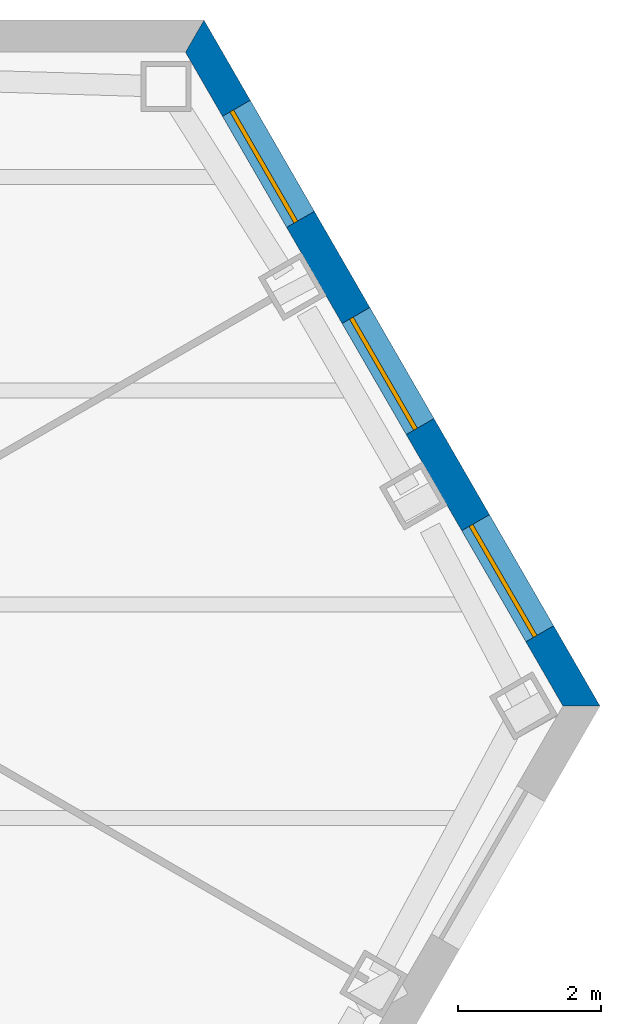
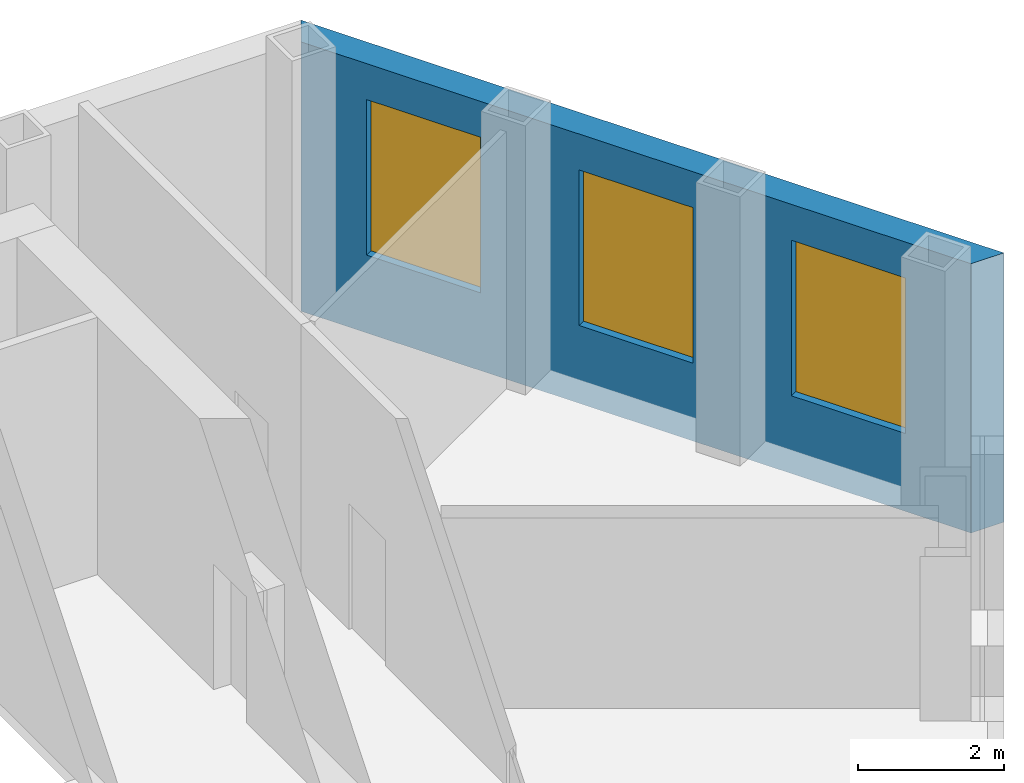
# One storey, part 9 of 12: 3 windows, 1 wall, 3 openings.
"""IFC4 building model written with IfcOpenShell, lengths in metres."""

from ifc_helpers import new_model, si_unit, direction, frame, frame_2d, origin, place, context, subcontext, project, spatial, polyline, rectangle, outline, extrude, material, layer, layer_set, type_object, element, fill, save


model = new_model("IFC4")

# Units and contexts
model_context = context("Model", 3, precision=1e-05, world=origin(), true_north=direction((0.0, 1.0)))
body_context = subcontext(model_context, "Body", "Model", "MODEL_VIEW")
ifc_project = project(units=[si_unit("LENGTHUNIT", "METRE"), si_unit("AREAUNIT", "SQUARE_METRE"), si_unit("VOLUMEUNIT", "CUBIC_METRE"), si_unit("PLANEANGLEUNIT", "RADIAN"), si_unit("MASSUNIT", "GRAM", prefix="KILO")], contexts=[model_context])

# Site, building, storey
site_placement = place(None, origin())
site = spatial("IfcSite", under=ifc_project, at=site_placement, CompositionType="ELEMENT")
building_placement = place(site_placement, origin())
building = spatial("IfcBuilding", under=site, at=building_placement, Name="Njiva Tower", CompositionType="ELEMENT")
storey_placement = place(building_placement, frame((0.0, 0.0, 60.3)))
storey = spatial("IfcBuildingStorey", under=building, at=storey_placement, Name="L12", CompositionType="ELEMENT", Elevation=60.3)

# Wall, openings, windows
ifc_material_1 = material(Name="Brick masonry, buff", Category="masonry")
ifc_layer = layer(ifc_material_1, 0.45)
ifc_layer_set = layer_set([ifc_layer], Name="Brick masonry, buff")
wall_type = type_object("IfcWallType", Name="WT94 Brick pier and spandrel wall 450, buff", PredefinedType="SOLIDWALL", material=ifc_layer_set)
wall_placement = place(storey_placement, frame((28.2964, 10.5763, -0.4), z_axis=(0.0, 0.0, 1.0), x_axis=(-0.500001948972, 0.866024278542, 0.0)))
wall = element("IfcWall", 1, at=wall_placement, inside=storey, type_object=wall_type, Name="Facade wall NE", PredefinedType="SOLIDWALL", context=body_context, shape_type="SweptSolid", body=[
    extrude(outline(polyline([(-0.1299, -0.225), (10.9801, -0.225), (10.7203, 0.225), (0.1299, 0.225), (-0.1299, -0.225)])), origin(), (0.0, 0.0, 1.0), 4.5),
])
opening_1_placement = place(wall_placement, frame((1.1681, 0.0, 1.3)))
opening_1 = element("IfcOpeningElement", 2, at=opening_1_placement, cuts=wall, Name="Opening S04-W35", PredefinedType="OPENING", context=body_context, shape_type="SweptSolid", body=[
    extrude(rectangle(XDim=1.8, YDim=2.6, at=frame_2d((0.9, 1.3))), frame((0.0, 0.235, 0.0), z_axis=(0.0, -1.0, 0.0), x_axis=(1.0, 0.0, 0.0)), (0.0, 0.0, 1.0), 0.47),
])
opening_2_placement = place(wall_placement, frame((4.5251, 0.0, 1.3)))
opening_2 = element("IfcOpeningElement", 3, at=opening_2_placement, cuts=wall, Name="Opening S04-W36", PredefinedType="OPENING", context=body_context, shape_type="SweptSolid", body=[
    extrude(rectangle(XDim=1.8, YDim=2.6, at=frame_2d((0.9, 1.3))), frame((0.0, 0.235, 0.0), z_axis=(0.0, -1.0, 0.0), x_axis=(1.0, 0.0, 0.0)), (0.0, 0.0, 1.0), 0.47),
])
opening_3_placement = place(wall_placement, frame((7.8821, 0.0, 1.3)))
opening_3 = element("IfcOpeningElement", 4, at=opening_3_placement, cuts=wall, Name="Opening S04-W37", PredefinedType="OPENING", context=body_context, shape_type="SweptSolid", body=[
    extrude(rectangle(XDim=1.8, YDim=2.6, at=frame_2d((0.9, 1.3))), frame((0.0, 0.235, 0.0), z_axis=(0.0, -1.0, 0.0), x_axis=(1.0, 0.0, 0.0)), (0.0, 0.0, 1.0), 0.47),
])
ifc_material_2 = material(Name="Clear glazing in aluminium frame", Category="aluminium")
window_type = type_object("IfcWindowType", Name="W96 Deep-set window 1800x2600", PartitioningType="SINGLE_PANEL", PredefinedType="WINDOW", material=ifc_material_2)
window_1_placement = place(opening_1_placement, origin())
window_1 = element("IfcWindow", 5, at=window_1_placement, inside=storey, type_object=window_type, Name="Window", OverallHeight=2.6, OverallWidth=1.8, PartitioningType="SINGLE_PANEL", PredefinedType="WINDOW", context=body_context, shape_type="SweptSolid", body=[
    extrude(rectangle(XDim=1.8, YDim=2.6, at=frame_2d((0.9, 1.3))), frame((0.0, 0.105, 0.0), z_axis=(0.0, -1.0, 0.0), x_axis=(1.0, 0.0, 0.0)), (0.0, 0.0, 1.0), 0.06),
])
fill(opening_1, window_1)
window_2_placement = place(opening_2_placement, origin())
window_2 = element("IfcWindow", 6, at=window_2_placement, inside=storey, type_object=window_type, Name="Window", OverallHeight=2.6, OverallWidth=1.8, PartitioningType="SINGLE_PANEL", PredefinedType="WINDOW", context=body_context, shape_type="SweptSolid", body=[
    extrude(rectangle(XDim=1.8, YDim=2.6, at=frame_2d((0.9, 1.3))), frame((0.0, 0.105, 0.0), z_axis=(0.0, -1.0, 0.0), x_axis=(1.0, 0.0, 0.0)), (0.0, 0.0, 1.0), 0.06),
])
fill(opening_2, window_2)
window_3_placement = place(opening_3_placement, origin())
window_3 = element("IfcWindow", 7, at=window_3_placement, inside=storey, type_object=window_type, Name="Window", OverallHeight=2.6, OverallWidth=1.8, PartitioningType="SINGLE_PANEL", PredefinedType="WINDOW", context=body_context, shape_type="SweptSolid", body=[
    extrude(rectangle(XDim=1.8, YDim=2.6, at=frame_2d((0.9, 1.3))), frame((0.0, 0.105, 0.0), z_axis=(0.0, -1.0, 0.0), x_axis=(1.0, 0.0, 0.0)), (0.0, 0.0, 1.0), 0.06),
])
fill(opening_3, window_3)

save(model, "model.ifc")
